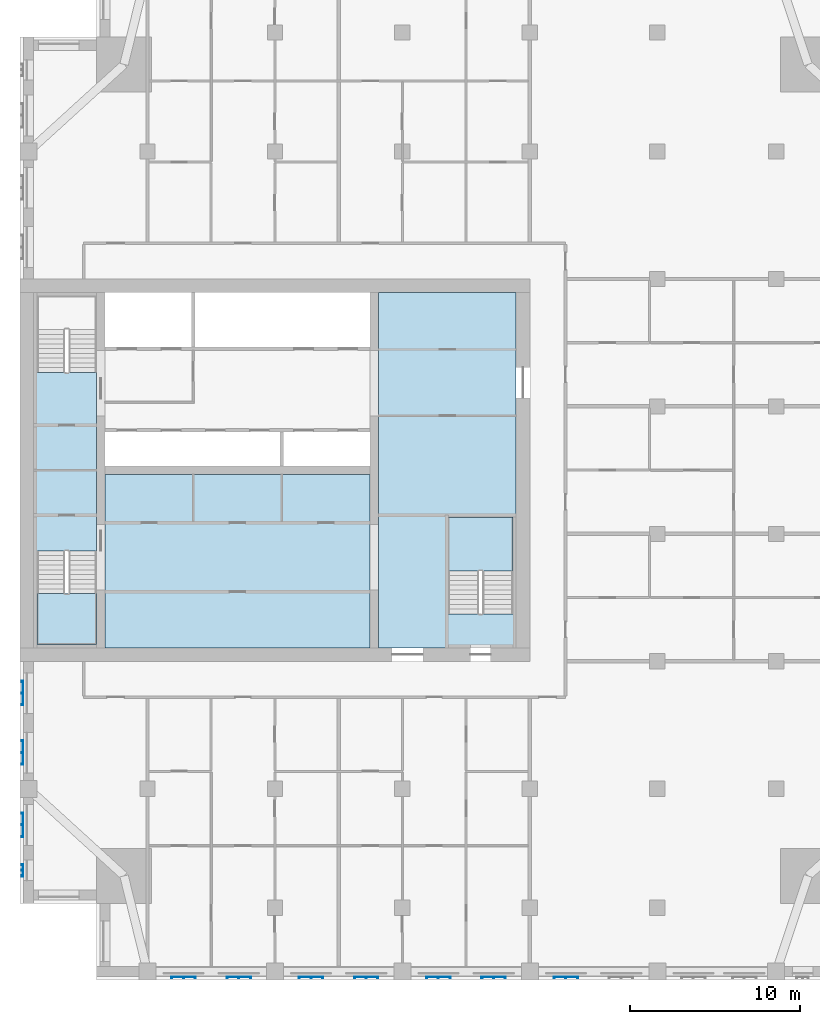
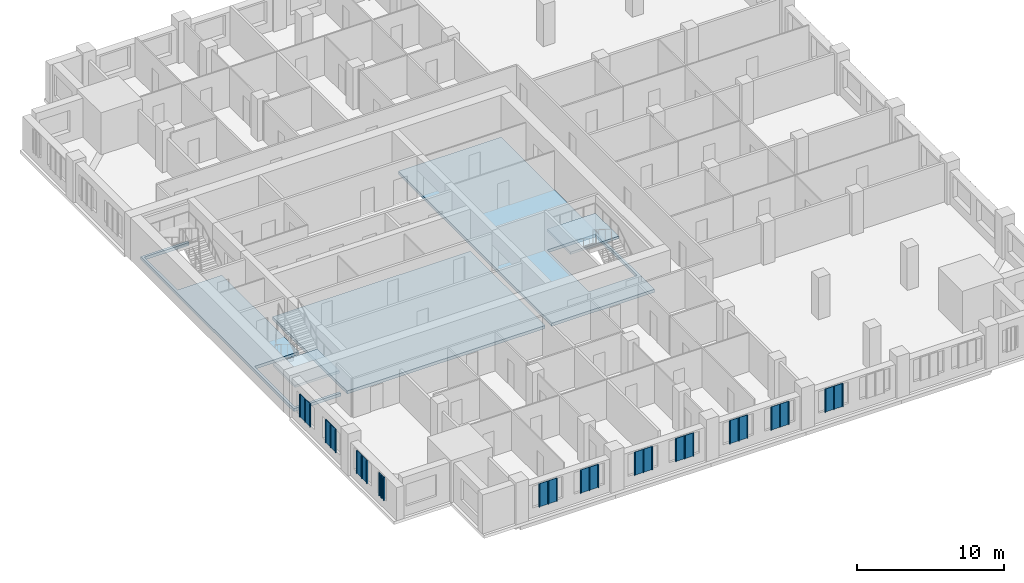
# One storey, part 2 of 14: 11 plates, 5 slabs, 2 elements without a shape of their own.
"""IFC4 building model written with IfcOpenShell, lengths in metres."""

from ifc_helpers import new_model, si_unit, direction, frame, origin, place, context, subcontext, project, spatial, polyline, outline, extrude, material, layer, layer_set, type_object, element, aggregate, save


model = new_model("IFC4")

# Units and contexts
model_context = context("Model", 3, precision=1e-05, world=origin(), true_north=direction((0.0, 1.0)))
body_context = subcontext(model_context, "Body", "Model", "MODEL_VIEW")
ifc_project = project(units=[si_unit("LENGTHUNIT", "METRE"), si_unit("AREAUNIT", "SQUARE_METRE"), si_unit("VOLUMEUNIT", "CUBIC_METRE"), si_unit("PLANEANGLEUNIT", "RADIAN"), si_unit("MASSUNIT", "GRAM", prefix="KILO")], contexts=[model_context])

# Site, building, storey
site_placement = place(None, origin())
site = spatial("IfcSite", under=ifc_project, at=site_placement, CompositionType="ELEMENT")
building_placement = place(site_placement, origin())
building = spatial("IfcBuilding", under=site, at=building_placement, Name="Tamorin Gate", CompositionType="ELEMENT")
storey_placement = place(building_placement, frame((0.0, 0.0, 182.699951171875)))
storey = spatial("IfcBuildingStorey", under=building, at=storey_placement, Name="L44", CompositionType="ELEMENT", Elevation=182.699951171875)

# Slabs
ifc_material_1 = material(Name="Concrete C40/50", Category="concrete")
ifc_layer_1 = layer(ifc_material_1, 0.25)
ifc_layer_set_1 = layer_set([ifc_layer_1], Name="Core floor slab 250 C40/50")
slab_type_1 = type_object("IfcSlabType", Name="Core floor slab 250 C40/50", PredefinedType="FLOOR", material=ifc_layer_set_1)
slab_1_placement = place(storey_placement, frame((0.0, 0.0, -0.25)))
element("IfcSlab", 1, at=slab_1_placement, inside=storey, type_object=slab_type_1, Name="Core floor L44", PredefinedType="FLOOR", context=body_context, shape_type="SweptSolid", body=[
    extrude(outline(polyline([(51.10009765625, 81.699951171875), (59.199951171875, 81.699951171875), (59.199951171875, 60.800048828125), (51.10009765625, 60.800048828125), (51.10009765625, 81.699951171875)]), holes=[polyline([(55.199951171875, 62.800048828125), (59.0, 62.800048828125), (59.0, 68.5), (55.199951171875, 68.5), (55.199951171875, 62.800048828125)])]), origin(), (0.0, 0.0, 1.0), 0.25),
])
slab_2_placement = place(storey_placement, frame((0.0, 0.0, -0.25)))
element("IfcSlab", 2, at=slab_2_placement, inside=storey, type_object=slab_type_1, Name="Core floor L44", PredefinedType="FLOOR", context=body_context, shape_type="SweptSolid", body=[
    extrude(outline(polyline([(50.60009765625, 71.0), (50.60009765625, 60.800048828125), (35.0, 60.800048828125), (35.0, 71.0), (50.60009765625, 71.0)])), origin(), (0.0, 0.0, 1.0), 0.25),
])
slab_3_placement = place(storey_placement, frame((0.0, 0.0, -0.25)))
element("IfcSlab", 3, at=slab_3_placement, inside=storey, type_object=slab_type_1, Name="Core floor L44", PredefinedType="FLOOR", context=body_context, shape_type="SweptSolid", body=[
    extrude(outline(polyline([(34.5, 60.800048828125), (30.800048828125, 60.800048828125), (30.800048828125, 81.699951171875), (34.5, 81.699951171875), (34.5, 81.5), (31.0, 81.5), (31.0, 77.0), (34.5, 77.0), (34.5, 66.5), (31.0, 66.5), (31.0, 61.0), (34.5, 61.0), (34.5, 60.800048828125)])), origin(), (0.0, 0.0, 1.0), 0.25),
])

# Stair, slab
stair_type = type_object("IfcStairType", Name="Exit stair", PredefinedType="HALF_TURN_STAIR", material=ifc_material_1)
stair_1_placement = place(storey_placement, origin())
stair_1 = element("IfcStair", 4, at=stair_1_placement, inside=storey, type_object=stair_type, Name="L44 stair ST1", PredefinedType="HALF_TURN_STAIR")
ifc_layer_2 = layer(ifc_material_1, 0.199951171875)
ifc_layer_set_2 = layer_set([ifc_layer_2], Name="Exit stair landing 200")
slab_type_2 = type_object("IfcSlabType", Name="Exit stair landing 200", PredefinedType="LANDING", material=ifc_layer_set_2)
slab_4_placement = place(storey_placement, frame((0.0, 0.0, 1.550048828125)))
slab_4 = element("IfcSlab", 5, at=slab_4_placement, type_object=slab_type_2, Name="ST1 landing 1", PredefinedType="LANDING", context=body_context, shape_type="SweptSolid", body=[
    extrude(outline(polyline([(31.0, 63.97998046875), (31.0, 61.0), (34.5, 61.0), (34.5, 63.97998046875), (31.0, 63.97998046875)])), origin(), (0.0, 0.0, 1.0), 0.199951171875),
])
aggregate(stair_1, [slab_4])

stair_2_placement = place(storey_placement, origin())
stair_2 = element("IfcStair", 6, at=stair_2_placement, inside=storey, type_object=stair_type, Name="L44 stair ST3", PredefinedType="HALF_TURN_STAIR")
slab_5_placement = place(storey_placement, frame((0.0, 0.0, 1.550048828125)))
slab_5 = element("IfcSlab", 7, at=slab_5_placement, type_object=slab_type_2, Name="ST3 landing 1", PredefinedType="LANDING", context=body_context, shape_type="SweptSolid", body=[
    extrude(outline(polyline([(59.0, 65.320068359375), (59.0, 68.5), (55.199951171875, 68.5), (55.199951171875, 65.320068359375), (59.0, 65.320068359375)])), origin(), (0.0, 0.0, 1.0), 0.199951171875),
])
aggregate(stair_2, [slab_5])

# Plates
ifc_material_2 = material(Name="Perforated pale aluminium sheet", Category="aluminium")
ifc_layer_3 = layer(ifc_material_2, 0.0400390625)
ifc_layer_set_3 = layer_set([ifc_layer_3], Name="Pale metal solar screen 1440")
plate_type_1 = type_object("IfcPlateType", Name="Pale metal solar screen 1440", PredefinedType="SHEET", material=ifc_layer_set_3)
plate_1_placement = place(storey_placement, frame((0.0, 0.0, 0.737548828125)))
element("IfcPlate", 8, at=plate_1_placement, inside=storey, type_object=plate_type_1, Name="Perforated solar screen", PredefinedType="SHEET", context=body_context, shape_type="SweptSolid", body=[
    extrude(outline(polyline([(38.905029296875, 41.409912109375), (38.905029296875, 41.449951171875), (38.965087890625, 41.449951171875), (39.594970703125, 41.449951171875), (39.655029296875, 41.449951171875), (40.284912109375, 41.449951171875), (40.344970703125, 41.449951171875), (40.344970703125, 41.449951171875), (40.344970703125, 41.409912109375), (40.344970703125, 41.409912109375), (40.344970703125, 41.35009765625), (40.284912109375, 41.35009765625), (40.284912109375, 41.409912109375), (39.655029296875, 41.409912109375), (39.655029296875, 41.35009765625), (39.594970703125, 41.35009765625), (39.594970703125, 41.409912109375), (38.965087890625, 41.409912109375), (38.965087890625, 41.35009765625), (38.905029296875, 41.35009765625), (38.905029296875, 41.409912109375)])), origin(), (0.0, 0.0, 1.0), 1.925048828125),
])
plate_2_placement = place(storey_placement, frame((0.0, 0.0, 0.737548828125)))
element("IfcPlate", 9, at=plate_2_placement, inside=storey, type_object=plate_type_1, Name="Perforated solar screen", PredefinedType="SHEET", context=body_context, shape_type="SweptSolid", body=[
    extrude(outline(polyline([(42.155029296875, 41.409912109375), (42.155029296875, 41.449951171875), (42.215087890625, 41.449951171875), (42.844970703125, 41.449951171875), (42.905029296875, 41.449951171875), (43.534912109375, 41.449951171875), (43.594970703125, 41.449951171875), (43.594970703125, 41.409912109375), (43.594970703125, 41.35009765625), (43.534912109375, 41.35009765625), (43.534912109375, 41.409912109375), (42.905029296875, 41.409912109375), (42.905029296875, 41.35009765625), (42.844970703125, 41.35009765625), (42.844970703125, 41.409912109375), (42.215087890625, 41.409912109375), (42.215087890625, 41.35009765625), (42.155029296875, 41.35009765625), (42.155029296875, 41.409912109375)])), origin(), (0.0, 0.0, 1.0), 1.925048828125),
])
plate_3_placement = place(storey_placement, frame((0.0, 0.0, 0.737548828125)))
element("IfcPlate", 10, at=plate_3_placement, inside=storey, type_object=plate_type_1, Name="Perforated solar screen", PredefinedType="SHEET", context=body_context, shape_type="SweptSolid", body=[
    extrude(outline(polyline([(46.405029296875, 41.409912109375), (46.405029296875, 41.449951171875), (46.465087890625, 41.449951171875), (47.094970703125, 41.449951171875), (47.155029296875, 41.449951171875), (47.784912109375, 41.449951171875), (47.844970703125, 41.449951171875), (47.844970703125, 41.409912109375), (47.844970703125, 41.35009765625), (47.784912109375, 41.35009765625), (47.784912109375, 41.409912109375), (47.155029296875, 41.409912109375), (47.155029296875, 41.35009765625), (47.094970703125, 41.35009765625), (47.094970703125, 41.409912109375), (46.465087890625, 41.409912109375), (46.465087890625, 41.35009765625), (46.405029296875, 41.35009765625), (46.405029296875, 41.409912109375)])), origin(), (0.0, 0.0, 1.0), 1.925048828125),
])
plate_4_placement = place(storey_placement, frame((0.0, 0.0, 0.737548828125)))
element("IfcPlate", 11, at=plate_4_placement, inside=storey, type_object=plate_type_1, Name="Perforated solar screen", PredefinedType="SHEET", context=body_context, shape_type="SweptSolid", body=[
    extrude(outline(polyline([(49.655029296875, 41.409912109375), (49.655029296875, 41.449951171875), (49.715087890625, 41.449951171875), (50.344970703125, 41.449951171875), (50.405029296875, 41.449951171875), (51.034912109375, 41.449951171875), (51.094970703125, 41.449951171875), (51.094970703125, 41.409912109375), (51.094970703125, 41.35009765625), (51.034912109375, 41.35009765625), (51.034912109375, 41.409912109375), (50.405029296875, 41.409912109375), (50.405029296875, 41.35009765625), (50.344970703125, 41.35009765625), (50.344970703125, 41.409912109375), (49.715087890625, 41.409912109375), (49.715087890625, 41.35009765625), (49.655029296875, 41.35009765625), (49.655029296875, 41.409912109375)])), origin(), (0.0, 0.0, 1.0), 1.925048828125),
])
plate_5_placement = place(storey_placement, frame((0.0, 0.0, 0.737548828125)))
element("IfcPlate", 12, at=plate_5_placement, inside=storey, type_object=plate_type_1, Name="Perforated solar screen", PredefinedType="SHEET", context=body_context, shape_type="SweptSolid", body=[
    extrude(outline(polyline([(53.905029296875, 41.409912109375), (53.905029296875, 41.449951171875), (53.965087890625, 41.449951171875), (54.594970703125, 41.449951171875), (54.655029296875, 41.449951171875), (55.284912109375, 41.449951171875), (55.344970703125, 41.449951171875), (55.344970703125, 41.409912109375), (55.344970703125, 41.35009765625), (55.284912109375, 41.35009765625), (55.284912109375, 41.409912109375), (54.655029296875, 41.409912109375), (54.655029296875, 41.35009765625), (54.594970703125, 41.35009765625), (54.594970703125, 41.409912109375), (53.965087890625, 41.409912109375), (53.965087890625, 41.35009765625), (53.905029296875, 41.35009765625), (53.905029296875, 41.409912109375)])), origin(), (0.0, 0.0, 1.0), 1.925048828125),
])
plate_6_placement = place(storey_placement, frame((0.0, 0.0, 0.737548828125)))
element("IfcPlate", 13, at=plate_6_placement, inside=storey, type_object=plate_type_1, Name="Perforated solar screen", PredefinedType="SHEET", context=body_context, shape_type="SweptSolid", body=[
    extrude(outline(polyline([(57.155029296875, 41.409912109375), (57.155029296875, 41.449951171875), (57.215087890625, 41.449951171875), (57.844970703125, 41.449951171875), (57.905029296875, 41.449951171875), (58.534912109375, 41.449951171875), (58.594970703125, 41.449951171875), (58.594970703125, 41.409912109375), (58.594970703125, 41.35009765625), (58.534912109375, 41.35009765625), (58.534912109375, 41.409912109375), (57.905029296875, 41.409912109375), (57.905029296875, 41.35009765625), (57.844970703125, 41.35009765625), (57.844970703125, 41.409912109375), (57.215087890625, 41.409912109375), (57.215087890625, 41.35009765625), (57.155029296875, 41.35009765625), (57.155029296875, 41.409912109375)])), origin(), (0.0, 0.0, 1.0), 1.925048828125),
])
plate_7_placement = place(storey_placement, frame((0.0, 0.0, 0.737548828125)))
element("IfcPlate", 14, at=plate_7_placement, inside=storey, type_object=plate_type_1, Name="Perforated solar screen", PredefinedType="SHEET", context=body_context, shape_type="SweptSolid", body=[
    extrude(outline(polyline([(61.405029296875, 41.409912109375), (61.405029296875, 41.449951171875), (61.465087890625, 41.449951171875), (62.094970703125, 41.449951171875), (62.155029296875, 41.449951171875), (62.784912109375, 41.449951171875), (62.844970703125, 41.449951171875), (62.844970703125, 41.409912109375), (62.844970703125, 41.35009765625), (62.784912109375, 41.35009765625), (62.784912109375, 41.409912109375), (62.155029296875, 41.409912109375), (62.155029296875, 41.35009765625), (62.094970703125, 41.35009765625), (62.094970703125, 41.409912109375), (61.465087890625, 41.409912109375), (61.465087890625, 41.35009765625), (61.405029296875, 41.35009765625), (61.405029296875, 41.409912109375)])), origin(), (0.0, 0.0, 1.0), 1.925048828125),
])
plate_8_placement = place(storey_placement, frame((0.0, 0.0, 0.737548828125)))
element("IfcPlate", 15, at=plate_8_placement, inside=storey, type_object=plate_type_1, Name="Perforated solar screen", PredefinedType="SHEET", context=body_context, shape_type="SweptSolid", body=[
    extrude(outline(polyline([(30.159912109375, 55.344970703125), (30.199951171875, 55.344970703125), (30.199951171875, 55.284912109375), (30.199951171875, 54.655029296875), (30.199951171875, 54.594970703125), (30.199951171875, 53.965087890625), (30.199951171875, 53.905029296875), (30.159912109375, 53.905029296875), (30.10009765625, 53.905029296875), (30.10009765625, 53.965087890625), (30.159912109375, 53.965087890625), (30.159912109375, 54.594970703125), (30.10009765625, 54.594970703125), (30.10009765625, 54.655029296875), (30.159912109375, 54.655029296875), (30.159912109375, 55.284912109375), (30.10009765625, 55.284912109375), (30.10009765625, 55.344970703125), (30.159912109375, 55.344970703125)])), origin(), (0.0, 0.0, 1.0), 1.925048828125),
])
plate_9_placement = place(storey_placement, frame((0.0, 0.0, 0.737548828125)))
element("IfcPlate", 16, at=plate_9_placement, inside=storey, type_object=plate_type_1, Name="Perforated solar screen", PredefinedType="SHEET", context=body_context, shape_type="SweptSolid", body=[
    extrude(outline(polyline([(30.159912109375, 58.844970703125), (30.199951171875, 58.844970703125), (30.199951171875, 58.784912109375), (30.199951171875, 58.155029296875), (30.199951171875, 58.094970703125), (30.199951171875, 57.465087890625), (30.199951171875, 57.405029296875), (30.159912109375, 57.405029296875), (30.10009765625, 57.405029296875), (30.10009765625, 57.465087890625), (30.159912109375, 57.465087890625), (30.159912109375, 58.094970703125), (30.10009765625, 58.094970703125), (30.10009765625, 58.155029296875), (30.159912109375, 58.155029296875), (30.159912109375, 58.784912109375), (30.10009765625, 58.784912109375), (30.10009765625, 58.844970703125), (30.159912109375, 58.844970703125)])), origin(), (0.0, 0.0, 1.0), 1.925048828125),
])
plate_10_placement = place(storey_placement, frame((0.0, 0.0, 0.737548828125)))
element("IfcPlate", 17, at=plate_10_placement, inside=storey, type_object=plate_type_1, Name="Perforated solar screen", PredefinedType="SHEET", context=body_context, shape_type="SweptSolid", body=[
    extrude(outline(polyline([(30.159912109375, 51.094970703125), (30.199951171875, 51.094970703125), (30.199951171875, 51.034912109375), (30.199951171875, 50.405029296875), (30.199951171875, 50.344970703125), (30.199951171875, 49.715087890625), (30.199951171875, 49.655029296875), (30.159912109375, 49.655029296875), (30.10009765625, 49.655029296875), (30.10009765625, 49.715087890625), (30.159912109375, 49.715087890625), (30.159912109375, 50.344970703125), (30.10009765625, 50.344970703125), (30.10009765625, 50.405029296875), (30.159912109375, 50.405029296875), (30.159912109375, 51.034912109375), (30.10009765625, 51.034912109375), (30.10009765625, 51.094970703125), (30.159912109375, 51.094970703125)])), origin(), (0.0, 0.0, 1.0), 1.925048828125),
])
ifc_layer_4 = layer(ifc_material_2, 0.0400390625)
ifc_layer_set_4 = layer_set([ifc_layer_4], Name="Pale metal solar screen 720")
plate_type_2 = type_object("IfcPlateType", Name="Pale metal solar screen 720", PredefinedType="SHEET", material=ifc_layer_set_4)
plate_11_placement = place(storey_placement, frame((0.0, 0.0, 0.737548828125)))
element("IfcPlate", 18, at=plate_11_placement, inside=storey, type_object=plate_type_2, Name="Perforated solar screen", PredefinedType="SHEET", context=body_context, shape_type="SweptSolid", body=[
    extrude(outline(polyline([(30.159912109375, 48.06005859375), (30.199951171875, 48.06005859375), (30.199951171875, 48.0), (30.199951171875, 47.72998046875), (30.199951171875, 47.669921875), (30.199951171875, 47.39990234375), (30.199951171875, 47.340087890625), (30.159912109375, 47.340087890625), (30.10009765625, 47.340087890625), (30.10009765625, 47.39990234375), (30.159912109375, 47.39990234375), (30.159912109375, 47.669921875), (30.10009765625, 47.669921875), (30.10009765625, 47.72998046875), (30.159912109375, 47.72998046875), (30.159912109375, 48.0), (30.10009765625, 48.0), (30.10009765625, 48.06005859375), (30.159912109375, 48.06005859375)])), origin(), (0.0, 0.0, 1.0), 1.925048828125),
])

save(model, "model.ifc")
